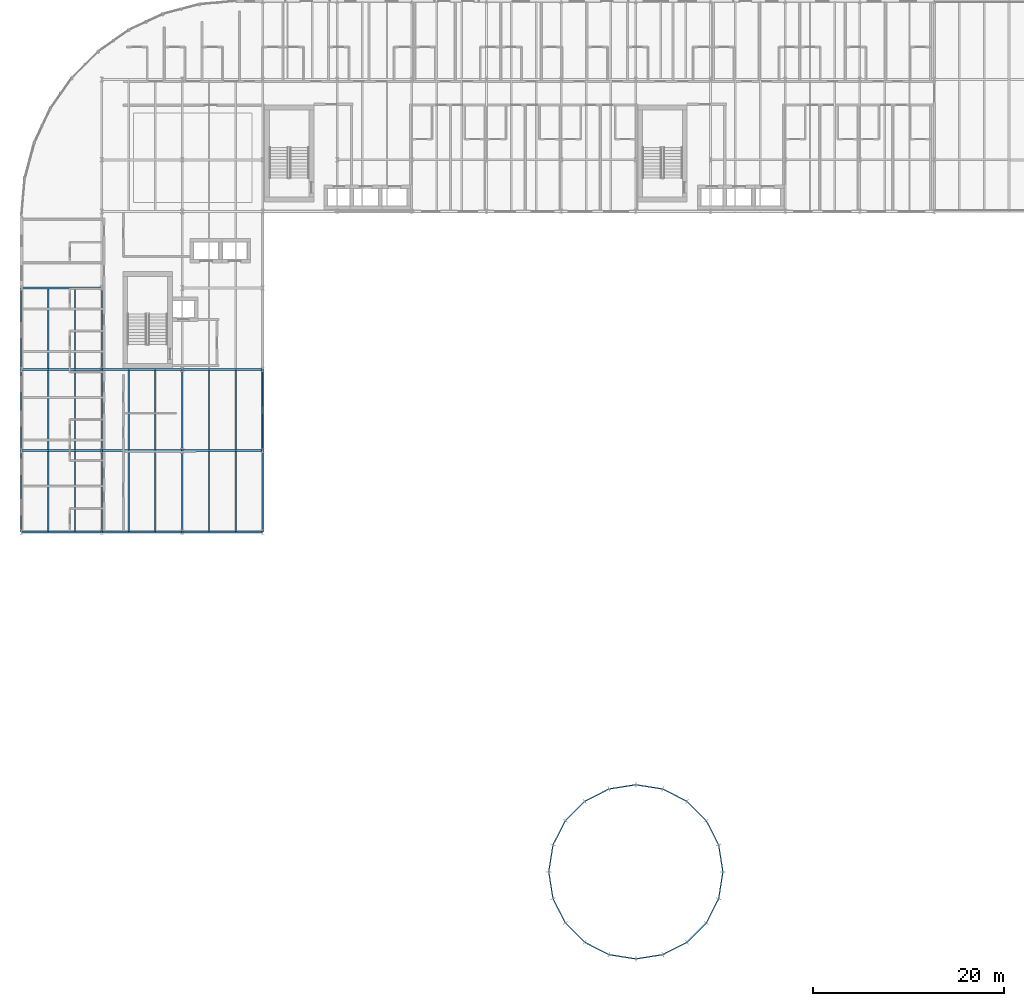
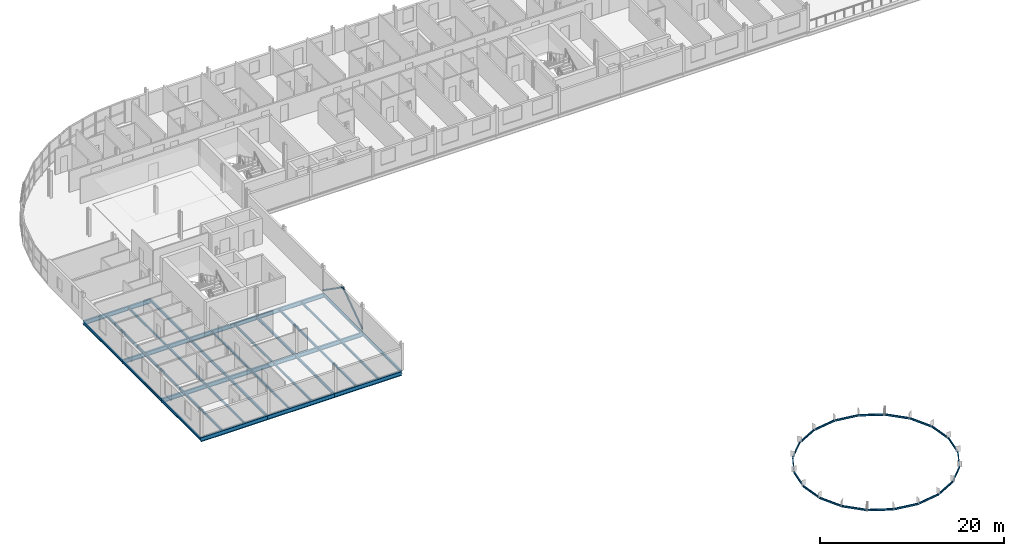
# One storey, part 4 of 30: 34 beams, 22 members.
"""IFC4 building model written with IfcOpenShell, lengths in metres."""

import ifcopenshell
import ifcopenshell.guid

model = None  # the IFC model being written
_history = None  # IfcOwnerHistory: only IFC2X3 demands one
_inside = {}  # id of a spatial element -> (the spatial element, [elements in it])
_under = {}  # id of a project, library or spatial element -> (it, [spatial elements below it])
_declared = {}  # id of a project -> (the project, [libraries it declares])
_typed = {}  # id of a type object -> (the type object, [elements of that type])
_made_of = {}  # id of a material, layer set ... -> (it, [elements and type objects made of it])


def new_model(schema):
    """Start an empty IFC model of exactly this schema.

    Asked for "IFC4X3", IfcOpenShell would pick the latest addendum, in which some entities
    have other attributes; the version numbers below select the first issue.
    IFC2X3 requires an IfcOwnerHistory on every rooted entity: one is made here for all.
    """
    global model, _history
    if schema == "IFC4X3":
        model = ifcopenshell.file(schema_version=(4, 3, 0, 0))
    else:
        model = ifcopenshell.file(schema=schema)
    _inside.clear()
    _under.clear()
    _declared.clear()
    _typed.clear()
    _made_of.clear()
    _history = None
    if model.schema == "IFC2X3":
        org = make("IfcOrganization", Name="unknown")
        user = make(
            "IfcPersonAndOrganization",
            ThePerson=make("IfcPerson", FamilyName="unknown"),
            TheOrganization=org,
        )
        app = make(
            "IfcApplication",
            ApplicationDeveloper=org,
            Version="unknown",
            ApplicationFullName="unknown",
            ApplicationIdentifier="unknown",
        )
        _history = make(
            "IfcOwnerHistory",
            OwningUser=user,
            OwningApplication=app,
            ChangeAction="ADDED",
            CreationDate=0,
        )
    return model


def make(cls, **values):
    """One entity of the class cls with the attributes given. An attribute that is None is left unset."""
    return model.create_entity(
        cls, **{name: value for name, value in values.items() if value is not None}
    )


def rooted(cls, **values):
    """An entity with a GlobalId (a new one), such as an element, a storey or a relation."""
    return make(cls, GlobalId=ifcopenshell.guid.new(), OwnerHistory=_history, **values)


def si_unit(unit_type, name, prefix=None):
    """IfcSIUnit, for example si_unit("LENGTHUNIT", "METRE", prefix="MILLI")."""
    return make("IfcSIUnit", UnitType=unit_type, Prefix=prefix, Name=name)


def assignment(units):
    """IfcUnitAssignment: the units of a project."""
    return None if units is None else make("IfcUnitAssignment", Units=units)


def point(xyz):
    """IfcCartesianPoint."""
    return None if xyz is None else make("IfcCartesianPoint", Coordinates=xyz)


def direction(xyz):
    """IfcDirection."""
    return None if xyz is None else make("IfcDirection", DirectionRatios=xyz)


def frame(location, z_axis=None, x_axis=None):
    """IfcAxis2Placement3D, a coordinate frame: its origin and axes. An axis left out is left unset."""
    return make(
        "IfcAxis2Placement3D",
        Location=point(location),
        Axis=direction(z_axis),
        RefDirection=direction(x_axis),
    )


def frame_2d(location, x_axis=None):
    """IfcAxis2Placement2D, a coordinate frame in the plane: its origin and x axis."""
    return make(
        "IfcAxis2Placement2D", Location=point(location), RefDirection=direction(x_axis)
    )


def origin():
    """The frame at (0, 0, 0) with its axes left unset."""
    return frame((0.0, 0.0, 0.0))


def origin_2d():
    """The frame at (0, 0) in the plane with its x axis left unset."""
    return frame_2d((0.0, 0.0))


def place(relative_to, where):
    """IfcLocalPlacement: puts the frame where relative to a parent placement (None: the world)."""
    return make(
        "IfcLocalPlacement", PlacementRelTo=relative_to, RelativePlacement=where
    )


def context(
    kind, dimensions, precision=None, world=None, true_north=None, identifier=None
):
    """IfcGeometricRepresentationContext, for example the 3D "Model" context."""
    return make(
        "IfcGeometricRepresentationContext",
        ContextIdentifier=identifier,
        ContextType=kind,
        CoordinateSpaceDimension=dimensions,
        Precision=precision,
        WorldCoordinateSystem=world,
        TrueNorth=true_north,
    )


def subcontext(parent, identifier, kind, view, scale=None):
    """IfcGeometricRepresentationSubContext, for example "Body" below "Model"."""
    return make(
        "IfcGeometricRepresentationSubContext",
        ContextIdentifier=identifier,
        ContextType=kind,
        ParentContext=parent,
        TargetScale=scale,
        TargetView=view,
    )


def project(units=None, contexts=None):
    """IfcProject with its units and contexts."""
    return rooted(
        "IfcProject",
        Name="project",
        RepresentationContexts=contexts,
        UnitsInContext=assignment(units),
    )


def spatial(cls, under=None, at=None, **own):
    """A site, building, storey or space (cls), placed at a placement, below another one or the project."""
    s = rooted(cls, ObjectPlacement=at, **own)
    if under is not None:
        _under.setdefault(under.id(), (under, []))[1].append(s)
    return s


def profile(cls, at=None, kind="AREA", **sizes):
    """A parametric profile (cls). Its sizes go by their IFC names, for example OverallWidth=200.0."""
    return make(cls, ProfileType=kind, Position=at, **sizes)


def hollow_circle(**sizes):
    """IfcCircleHollowProfileDef."""
    return profile("IfcCircleHollowProfileDef", **sizes)


def i_section(**sizes):
    """IfcIShapeProfileDef."""
    return profile("IfcIShapeProfileDef", **sizes)


def extrude(swept, where, along, depth):
    """IfcExtrudedAreaSolid: the profile swept, set in the frame where, extruded along a direction by depth."""
    return make(
        "IfcExtrudedAreaSolid",
        SweptArea=swept,
        Position=where,
        ExtrudedDirection=direction(along),
        Depth=depth,
    )


def shape(context_of_items, identifier, shape_type, items):
    """IfcShapeRepresentation: the items that make up one representation, for example the "Body"."""
    return make(
        "IfcShapeRepresentation",
        ContextOfItems=context_of_items,
        RepresentationIdentifier=identifier,
        RepresentationType=shape_type,
        Items=items,
    )


def material(Name=None, Category=None):
    """IfcMaterial."""
    return make("IfcMaterial", Name=Name, Category=Category)


def material_profile(
    of_material, cross_section, Name=None, Category=None, Priority=None
):
    """IfcMaterialProfile: a cross section and its material."""
    return make(
        "IfcMaterialProfile",
        Name=Name,
        Material=of_material,
        Profile=cross_section,
        Priority=Priority,
        Category=Category,
    )


def profile_set(profiles, Name=None, composite=None):
    """IfcMaterialProfileSet."""
    return make(
        "IfcMaterialProfileSet",
        Name=Name,
        MaterialProfiles=profiles,
        CompositeProfile=composite,
    )


def made_of(thing, what):
    """Note that an element or type object is made of a material, layer set ...; save() writes the relation."""
    if what is not None:
        _made_of.setdefault(what.id(), (what, []))[1].append(thing)
    return thing


def type_object(cls, material=None, **own):
    """A type object (cls), such as IfcWallType, which elements share."""
    return made_of(rooted(cls, **own), material)


def element(
    cls,
    number,
    at=None,
    inside=None,
    cuts=None,
    type_object=None,
    material=None,
    context=None,
    identifier="Body",
    shape_type=None,
    held_by="IfcProductDefinitionShape",
    body=None,
    shapes=None,
    **own,
):
    """One element of the class cls, such as IfcWall. Its Tag is "e" and its number.

    at: its placement. inside: the storey or other place that contains it. cuts: it is an
    opening in that element (IfcRelVoidsElement). A single representation is given by context,
    identifier, shape_type and body (its items); several are given by shapes. held_by: the class
    of the entity that holds the representations. save() writes the other relations.
    """
    e = rooted(cls, Tag="e%d" % number, ObjectPlacement=at, **own)
    if body is not None:
        shapes = [shape(context, identifier, shape_type, body)]
    if shapes is not None:
        e.Representation = make(held_by, Representations=shapes)
    if inside is not None:
        _inside.setdefault(inside.id(), (inside, []))[1].append(e)
    if cuts is not None:
        rooted(
            "IfcRelVoidsElement", RelatingBuildingElement=cuts, RelatedOpeningElement=e
        )
    if type_object is not None:
        _typed.setdefault(type_object.id(), (type_object, []))[1].append(e)
    return made_of(e, material)


def aggregate(whole, parts):
    """IfcRelAggregates: a whole, such as a stair, and the parts it consists of."""
    return rooted("IfcRelAggregates", RelatingObject=whole, RelatedObjects=parts)


def save(model, path):
    """Write the relations noted so far, then the file.

    IfcRelAggregates (storeys below a building ...), IfcRelContainedInSpatialStructure (elements
    in a storey), IfcRelDefinesByType, IfcRelAssociatesMaterial and IfcRelDeclares: one each for
    every whole, place, type object, material and project.
    """
    for whole, parts in _under.values():
        aggregate(whole, parts)
    for where, things in _inside.values():
        rooted(
            "IfcRelContainedInSpatialStructure",
            RelatedElements=things,
            RelatingStructure=where,
        )
    for kind, things in _typed.values():
        rooted("IfcRelDefinesByType", RelatedObjects=things, RelatingType=kind)
    for what, things in _made_of.values():
        rooted("IfcRelAssociatesMaterial", RelatedObjects=things, RelatingMaterial=what)
    for by, libraries in _declared.values():
        rooted("IfcRelDeclares", RelatingContext=by, RelatedDefinitions=libraries)
    model.write(path)


model = new_model("IFC4")

# Units and contexts
model_context = context("Model", 3, precision=1e-05, world=origin(), true_north=direction((0.0, 1.0)))
body_context = subcontext(model_context, "Body", "Model", "MODEL_VIEW")
ifc_project = project(units=[si_unit("LENGTHUNIT", "METRE"), si_unit("AREAUNIT", "SQUARE_METRE"), si_unit("VOLUMEUNIT", "CUBIC_METRE"), si_unit("PLANEANGLEUNIT", "RADIAN"), si_unit("MASSUNIT", "GRAM", prefix="KILO")], contexts=[model_context])

# Site, building, storey
site_placement = place(None, origin())
site = spatial("IfcSite", under=ifc_project, at=site_placement, CompositionType="ELEMENT")
building_placement = place(site_placement, origin())
building = spatial("IfcBuilding", under=site, at=building_placement, Name="Sefraquen Railside Congress Hotel", CompositionType="ELEMENT")
storey_placement = place(building_placement, frame((0.0, 0.0, 35.39990234375)))
storey = spatial("IfcBuildingStorey", under=building, at=storey_placement, Name="L08", CompositionType="ELEMENT", Elevation=35.39990234375)

# Beams
ifc_material_1 = material(Name="Steel S355JR", Category="steel")
ifc_material_profile_1 = material_profile(ifc_material_1, i_section(OverallWidth=0.169921875, OverallDepth=0.360107421875, WebThickness=0.008056640625, FlangeThickness=0.0126953125, FilletRadius=0.01806640625, at=origin_2d()), Name="IPE 360")
ifc_profile_set_1 = profile_set([ifc_material_profile_1], Name="Steel S355JR")
beam_type_1 = type_object("IfcBeamType", Name="TB-BM-360", PredefinedType="BEAM", material=ifc_profile_set_1)
for number, where, z_axis, x_axis, name in (
    (1, (0.0, 62.5, -0.419921875), (0.0, 1.0, 0.0), (-1.0, 0.0, 0.0), "Floor beam BM-L08-1891"),
    (2, (0.0, 71.0, -0.419921875), (0.0, 1.0, 0.0), (-1.0, 0.0, 0.0), "Floor beam BM-L08-1892"),
    (3, (0.0, 79.5, -0.419921875), (0.0, 1.0, 0.0), (-1.0, 0.0, 0.0), "Floor beam BM-L08-1893"),
    (4, (8.39990234375, 62.5, -0.419921875), (0.0, 1.0, 0.0), (-1.0, 0.0, 0.0), "Floor beam BM-L08-1894"),
    (5, (8.39990234375, 71.0, -0.419921875), (0.0, 1.0, 0.0), (-1.0, 0.0, 0.0), "Floor beam BM-L08-1895"),
    (6, (8.39990234375, 79.5, -0.419921875), (0.0, 1.0, 0.0), (-1.0, 0.0, 0.0), "Floor beam BM-L08-1896"),
    (7, (16.800048828125, 62.5, -0.419921875), (0.0, 1.0, 0.0), (-1.0, 0.0, 0.0), "Floor beam BM-L08-1900"),
    (8, (16.800048828125, 71.0, -0.419921875), (0.0, 1.0, 0.0), (-1.0, 0.0, 0.0), "Floor beam BM-L08-1901"),
    (9, (25.199951171875, 62.5, -0.419921875), (0.0, 1.0, 0.0), (-1.0, 0.0, 0.0), "Floor beam BM-L08-1906"),
    (10, (25.199951171875, 71.0, -0.419921875), (0.0, 1.0, 0.0), (-1.0, 0.0, 0.0), "Floor beam BM-L08-1907"),
):
    element("IfcBeam", number, at=place(storey_placement, frame(where, z_axis=z_axis, x_axis=x_axis)), inside=storey, type_object=beam_type_1, Name=name, PredefinedType="BEAM", context=body_context, shape_type="SweptSolid", body=[
        extrude(i_section(OverallWidth=0.169921875, OverallDepth=0.360107421875, WebThickness=0.008056640625, FlangeThickness=0.0126953125, FilletRadius=0.01806640625, at=origin_2d()), origin(), (0.0, 0.0, 1.0), 8.5),
    ])
ifc_material_profile_2 = material_profile(ifc_material_1, i_section(OverallWidth=0.2099609375, OverallDepth=0.550048828125, WebThickness=0.010986328125, FlangeThickness=0.01708984375, FilletRadius=0.02392578125, at=origin_2d()), Name="IPE 550")
ifc_profile_set_2 = profile_set([ifc_material_profile_2], Name="Steel S355JR")
beam_type_2 = type_object("IfcBeamType", Name="TB-GIR-550", PredefinedType="T_BEAM", material=ifc_profile_set_2)
beam_1_placement = place(storey_placement, frame((0.0, 62.5, -0.514892578125), z_axis=(1.0, 0.0, 0.0), x_axis=(0.0, 1.0, 0.0)))
element("IfcBeam", 11, at=beam_1_placement, inside=storey, type_object=beam_type_2, Name="Primary girder BM-L08-1828", PredefinedType="T_BEAM", context=body_context, shape_type="SweptSolid", body=[
    extrude(i_section(OverallWidth=0.2099609375, OverallDepth=0.550048828125, WebThickness=0.010986328125, FlangeThickness=0.01708984375, FilletRadius=0.02392578125, at=origin_2d()), origin(), (0.0, 0.0, 1.0), 8.39990234375),
])
beam_2_placement = place(storey_placement, frame((8.39990234375, 62.5, -0.514892578125), z_axis=(1.0, 0.0, 0.0), x_axis=(0.0, 1.0, 0.0)))
element("IfcBeam", 12, at=beam_2_placement, inside=storey, type_object=beam_type_2, Name="Primary girder BM-L08-1829", PredefinedType="T_BEAM", context=body_context, shape_type="SweptSolid", body=[
    extrude(i_section(OverallWidth=0.2099609375, OverallDepth=0.550048828125, WebThickness=0.010986328125, FlangeThickness=0.01708984375, FilletRadius=0.02392578125, at=origin_2d()), origin(), (0.0, 0.0, 1.0), 8.400146484375),
])
for number, where, z_axis, x_axis, name in (
    (13, (16.800048828125, 62.5, -0.514892578125), (1.0, 0.0, 0.0), (0.0, 1.0, 0.0), "Primary girder BM-L08-1830"),
    (14, (0.0, 71.0, -0.514892578125), (1.0, 0.0, 0.0), (0.0, 1.0, 0.0), "Primary girder BM-L08-1831"),
):
    element("IfcBeam", number, at=place(storey_placement, frame(where, z_axis=z_axis, x_axis=x_axis)), inside=storey, type_object=beam_type_2, Name=name, PredefinedType="T_BEAM", context=body_context, shape_type="SweptSolid", body=[
        extrude(i_section(OverallWidth=0.2099609375, OverallDepth=0.550048828125, WebThickness=0.010986328125, FlangeThickness=0.01708984375, FilletRadius=0.02392578125, at=origin_2d()), origin(), (0.0, 0.0, 1.0), 8.39990234375),
    ])
beam_3_placement = place(storey_placement, frame((8.39990234375, 71.0, -0.514892578125), z_axis=(1.0, 0.0, 0.0), x_axis=(0.0, 1.0, 0.0)))
element("IfcBeam", 15, at=beam_3_placement, inside=storey, type_object=beam_type_2, Name="Primary girder BM-L08-1832", PredefinedType="T_BEAM", context=body_context, shape_type="SweptSolid", body=[
    extrude(i_section(OverallWidth=0.2099609375, OverallDepth=0.550048828125, WebThickness=0.010986328125, FlangeThickness=0.01708984375, FilletRadius=0.02392578125, at=origin_2d()), origin(), (0.0, 0.0, 1.0), 8.400146484375),
])
for number, where, z_axis, x_axis, name in (
    (16, (16.800048828125, 71.0, -0.514892578125), (1.0, 0.0, 0.0), (0.0, 1.0, 0.0), "Primary girder BM-L08-1833"),
    (17, (0.0, 79.5, -0.514892578125), (1.0, 0.0, 0.0), (0.0, 1.0, 0.0), "Primary girder BM-L08-1834"),
):
    element("IfcBeam", number, at=place(storey_placement, frame(where, z_axis=z_axis, x_axis=x_axis)), inside=storey, type_object=beam_type_2, Name=name, PredefinedType="T_BEAM", context=body_context, shape_type="SweptSolid", body=[
        extrude(i_section(OverallWidth=0.2099609375, OverallDepth=0.550048828125, WebThickness=0.010986328125, FlangeThickness=0.01708984375, FilletRadius=0.02392578125, at=origin_2d()), origin(), (0.0, 0.0, 1.0), 8.39990234375),
    ])
beam_4_placement = place(storey_placement, frame((8.39990234375, 79.5, -0.514892578125), z_axis=(1.0, 0.0, 0.0), x_axis=(0.0, 1.0, 0.0)))
element("IfcBeam", 18, at=beam_4_placement, inside=storey, type_object=beam_type_2, Name="Primary girder BM-L08-1835", PredefinedType="T_BEAM", context=body_context, shape_type="SweptSolid", body=[
    extrude(i_section(OverallWidth=0.2099609375, OverallDepth=0.550048828125, WebThickness=0.010986328125, FlangeThickness=0.01708984375, FilletRadius=0.02392578125, at=origin_2d()), origin(), (0.0, 0.0, 1.0), 8.400146484375),
])
for number, where, z_axis, x_axis, name in (
    (19, (16.800048828125, 79.5, -0.514892578125), (1.0, 0.0, 0.0), (0.0, 1.0, 0.0), "Primary girder BM-L08-1836"),
    (20, (0.0, 88.0, -0.514892578125), (1.0, 0.0, 0.0), (0.0, 1.0, 0.0), "Primary girder BM-L08-1837"),
):
    element("IfcBeam", number, at=place(storey_placement, frame(where, z_axis=z_axis, x_axis=x_axis)), inside=storey, type_object=beam_type_2, Name=name, PredefinedType="T_BEAM", context=body_context, shape_type="SweptSolid", body=[
        extrude(i_section(OverallWidth=0.2099609375, OverallDepth=0.550048828125, WebThickness=0.010986328125, FlangeThickness=0.01708984375, FilletRadius=0.02392578125, at=origin_2d()), origin(), (0.0, 0.0, 1.0), 8.39990234375),
    ])
ifc_material_profile_3 = material_profile(ifc_material_1, i_section(OverallWidth=0.14990234375, OverallDepth=0.300048828125, WebThickness=0.007080078125, FlangeThickness=0.0107421875, FilletRadius=0.014892578125, at=origin_2d()), Name="IPE 300")
ifc_profile_set_3 = profile_set([ifc_material_profile_3], Name="Steel S355JR")
beam_type_3 = type_object("IfcBeamType", Name="TB-JST-300", PredefinedType="JOIST", material=ifc_profile_set_3)
for number, where, z_axis, x_axis, name in (
    (21, (2.800048828125, 62.5849609375, -0.389892578125), (0.0, 1.0, 0.0), (-1.0, 0.0, 0.0), "Composite floor joist BM-L08-J1234"),
    (22, (5.60009765625, 62.5849609375, -0.389892578125), (0.0, 1.0, 0.0), (-1.0, 0.0, 0.0), "Composite floor joist BM-L08-J1235"),
    (23, (2.800048828125, 71.0849609375, -0.389892578125), (0.0, 1.0, 0.0), (-1.0, 0.0, 0.0), "Composite floor joist BM-L08-J1236"),
    (24, (5.60009765625, 71.0849609375, -0.389892578125), (0.0, 1.0, 0.0), (-1.0, 0.0, 0.0), "Composite floor joist BM-L08-J1237"),
    (25, (2.800048828125, 79.5849609375, -0.389892578125), (0.0, 1.0, 0.0), (-1.0, 0.0, 0.0), "Composite floor joist BM-L08-J1238"),
    (26, (5.60009765625, 79.5849609375, -0.389892578125), (0.0, 1.0, 0.0), (-1.0, 0.0, 0.0), "Composite floor joist BM-L08-J1239"),
    (27, (11.199951171875, 62.5849609375, -0.389892578125), (0.0, 1.0, 0.0), (-1.0, 0.0, 0.0), "Composite floor joist BM-L08-J1240"),
    (28, (14.0, 62.5849609375, -0.389892578125), (0.0, 1.0, 0.0), (-1.0, 0.0, 0.0), "Composite floor joist BM-L08-J1241"),
    (29, (11.199951171875, 71.0849609375, -0.389892578125), (0.0, 1.0, 0.0), (-1.0, 0.0, 0.0), "Composite floor joist BM-L08-J1242"),
    (30, (14.0, 71.0849609375, -0.389892578125), (0.0, 1.0, 0.0), (-1.0, 0.0, 0.0), "Composite floor joist BM-L08-J1243"),
    (31, (19.60009765625, 62.5849609375, -0.389892578125), (0.0, 1.0, 0.0), (-1.0, 0.0, 0.0), "Composite floor joist BM-L08-J1248"),
    (32, (22.39990234375, 62.5849609375, -0.389892578125), (0.0, 1.0, 0.0), (-1.0, 0.0, 0.0), "Composite floor joist BM-L08-J1249"),
    (33, (19.60009765625, 71.0849609375, -0.389892578125), (0.0, 1.0, 0.0), (-1.0, 0.0, 0.0), "Composite floor joist BM-L08-J1250"),
    (34, (22.39990234375, 71.0849609375, -0.389892578125), (0.0, 1.0, 0.0), (-1.0, 0.0, 0.0), "Composite floor joist BM-L08-J1251"),
):
    element("IfcBeam", number, at=place(storey_placement, frame(where, z_axis=z_axis, x_axis=x_axis)), inside=storey, type_object=beam_type_3, Name=name, PredefinedType="JOIST", context=body_context, shape_type="SweptSolid", body=[
        extrude(i_section(OverallWidth=0.14990234375, OverallDepth=0.300048828125, WebThickness=0.007080078125, FlangeThickness=0.0107421875, FilletRadius=0.014892578125, at=origin_2d()), origin(), (0.0, 0.0, 1.0), 8.330078125),
    ])

# Members
ifc_material_2 = material(Name="Steel S355J2", Category="steel")
ifc_material_profile_4 = material_profile(ifc_material_2, hollow_circle(Radius=0.109619140625, WallThickness=0.010009765625, at=origin_2d()), Name="CHS 219.1x10")
ifc_profile_set_4 = profile_set([ifc_material_profile_4], Name="Steel S355J2")
member_type_1 = type_object("IfcMemberType", Name="TM-BR-219", PredefinedType="BRACE", material=ifc_profile_set_4)
for number, where, z_axis, x_axis, name in (
    (35, (25.199951171875, 71.0, 0.150146484375), (0.0, 0.818780891448, 0.574106132871), (-1.0, 0.0, 0.0), "Chevron braced-frame diagonal BF2-L L08"),
    (36, (25.199951171875, 79.5, 0.150146484375), (0.0, -0.818780891448, 0.574106132871), (1.0, 0.0, 0.0), "Chevron braced-frame diagonal BF2-R L08"),
):
    element("IfcMember", number, at=place(storey_placement, frame(where, z_axis=z_axis, x_axis=x_axis)), inside=storey, type_object=member_type_1, Name=name, PredefinedType="BRACE", context=body_context, shape_type="SweptSolid", body=[
        extrude(hollow_circle(Radius=0.109619140625, WallThickness=0.010009765625, at=origin_2d()), origin(), (0.0, 0.0, 1.0), 5.190673828125),
    ])
ifc_material_profile_5 = material_profile(ifc_material_1, i_section(OverallWidth=0.1201171875, OverallDepth=0.239990234375, WebThickness=0.006103515625, FlangeThickness=0.009765625, FilletRadius=0.014892578125, at=origin_2d()), Name="IPE 240")
ifc_profile_set_5 = profile_set([ifc_material_profile_5], Name="Steel S355JR")
member_type_2 = type_object("IfcMemberType", Name="TM-PUR-240", PredefinedType="PURLIN", material=ifc_profile_set_5)
for number, where, z_axis, x_axis, name in (
    (37, (73.300048828125, 27.0, -4.47998046875), (-0.156495365065, 0.987678693054, 0.0), (-0.987678693054, -0.156495365065, 0.0), "Congress Dome upper purlin ring 01"),
    (38, (72.8544921875, 29.81201171875, -4.47998046875), (-0.453957894775, 0.891023136496, 0.0), (-0.891023136496, -0.453957894775, 0.0), "Congress Dome upper purlin ring 02"),
    (39, (71.56201171875, 32.348876953125, -4.47998046875), (-0.707106781187, 0.707106781187, 0.0), (-0.707106781187, -0.707106781187, 0.0), "Congress Dome upper purlin ring 03"),
):
    element("IfcMember", number, at=place(storey_placement, frame(where, z_axis=z_axis, x_axis=x_axis)), inside=storey, type_object=member_type_2, Name=name, PredefinedType="PURLIN", context=body_context, shape_type="SweptSolid", body=[
        extrude(i_section(OverallWidth=0.1201171875, OverallDepth=0.239990234375, WebThickness=0.006103515625, FlangeThickness=0.009765625, FilletRadius=0.014892578125, at=origin_2d()), origin(), (0.0, 0.0, 1.0), 2.84716796875),
    ])
member_1_placement = place(storey_placement, frame((69.548828125, 34.362060546875, -4.47998046875), z_axis=(-0.891005463403, 0.453992581642, 0.0), x_axis=(-0.453992581642, -0.891005463403, 0.0)))
element("IfcMember", 40, at=member_1_placement, inside=storey, type_object=member_type_2, Name="Congress Dome upper purlin ring 04", PredefinedType="PURLIN", context=body_context, shape_type="SweptSolid", body=[
    extrude(i_section(OverallWidth=0.1201171875, OverallDepth=0.239990234375, WebThickness=0.006103515625, FlangeThickness=0.009765625, FilletRadius=0.014892578125, at=origin_2d()), origin(), (0.0, 0.0, 1.0), 2.846923828125),
])
member_2_placement = place(storey_placement, frame((67.01220703125, 35.654541015625, -4.47998046875), z_axis=(-0.987680792895, 0.156482111905, 0.0), x_axis=(-0.156482111905, -0.987680792895, 0.0)))
element("IfcMember", 41, at=member_2_placement, inside=storey, type_object=member_type_2, Name="Congress Dome upper purlin ring 05", PredefinedType="PURLIN", context=body_context, shape_type="SweptSolid", body=[
    extrude(i_section(OverallWidth=0.1201171875, OverallDepth=0.239990234375, WebThickness=0.006103515625, FlangeThickness=0.009765625, FilletRadius=0.014892578125, at=origin_2d()), origin(), (0.0, 0.0, 1.0), 2.847412109375),
])
member_3_placement = place(storey_placement, frame((64.199951171875, 36.10009765625, -4.47998046875), z_axis=(-0.987678693054, -0.156495365065, 0.0), x_axis=(0.156495365065, -0.987678693054, 0.0)))
element("IfcMember", 42, at=member_3_placement, inside=storey, type_object=member_type_2, Name="Congress Dome upper purlin ring 06", PredefinedType="PURLIN", context=body_context, shape_type="SweptSolid", body=[
    extrude(i_section(OverallWidth=0.1201171875, OverallDepth=0.239990234375, WebThickness=0.006103515625, FlangeThickness=0.009765625, FilletRadius=0.014892578125, at=origin_2d()), origin(), (0.0, 0.0, 1.0), 2.84716796875),
])
member_4_placement = place(storey_placement, frame((61.387939453125, 35.654541015625, -4.47998046875), z_axis=(-0.891005463403, -0.453992581642, 0.0), x_axis=(0.453992581642, -0.891005463403, 0.0)))
element("IfcMember", 43, at=member_4_placement, inside=storey, type_object=member_type_2, Name="Congress Dome upper purlin ring 07", PredefinedType="PURLIN", context=body_context, shape_type="SweptSolid", body=[
    extrude(i_section(OverallWidth=0.1201171875, OverallDepth=0.239990234375, WebThickness=0.006103515625, FlangeThickness=0.009765625, FilletRadius=0.014892578125, at=origin_2d()), origin(), (0.0, 0.0, 1.0), 2.846923828125),
])
for number, where, z_axis, x_axis, name in (
    (44, (58.851318359375, 34.362060546875, -4.47998046875), (-0.707149653032, -0.707063906742, 0.0), (0.707063906742, -0.707149653032, 0.0), "Congress Dome upper purlin ring 08"),
    (45, (56.837890625, 32.348876953125, -4.47998046875), (-0.453957894775, -0.891023136496, 0.0), (0.891023136496, -0.453957894775, 0.0), "Congress Dome upper purlin ring 09"),
    (46, (55.54541015625, 29.81201171875, -4.47998046875), (-0.156411712605, -0.987691943958, 0.0), (0.987691943958, -0.156411712605, 0.0), "Congress Dome upper purlin ring 10"),
    (47, (55.10009765625, 27.0, -4.47998046875), (0.156411712605, -0.987691943958, 0.0), (0.987691943958, 0.156411712605, 0.0), "Congress Dome upper purlin ring 11"),
    (48, (55.54541015625, 24.18798828125, -4.47998046875), (0.453957894775, -0.891023136496, 0.0), (0.891023136496, 0.453957894775, 0.0), "Congress Dome upper purlin ring 12"),
    (49, (56.837890625, 21.651123046875, -4.47998046875), (0.707149653032, -0.707063906742, 0.0), (0.707063906742, 0.707149653032, 0.0), "Congress Dome upper purlin ring 13"),
):
    element("IfcMember", number, at=place(storey_placement, frame(where, z_axis=z_axis, x_axis=x_axis)), inside=storey, type_object=member_type_2, Name=name, PredefinedType="PURLIN", context=body_context, shape_type="SweptSolid", body=[
        extrude(i_section(OverallWidth=0.1201171875, OverallDepth=0.239990234375, WebThickness=0.006103515625, FlangeThickness=0.009765625, FilletRadius=0.014892578125, at=origin_2d()), origin(), (0.0, 0.0, 1.0), 2.84716796875),
    ])
member_5_placement = place(storey_placement, frame((58.851318359375, 19.637939453125, -4.47998046875), z_axis=(0.891005463403, -0.453992581642, 0.0), x_axis=(0.453992581642, 0.891005463403, 0.0)))
element("IfcMember", 50, at=member_5_placement, inside=storey, type_object=member_type_2, Name="Congress Dome upper purlin ring 14", PredefinedType="PURLIN", context=body_context, shape_type="SweptSolid", body=[
    extrude(i_section(OverallWidth=0.1201171875, OverallDepth=0.239990234375, WebThickness=0.006103515625, FlangeThickness=0.009765625, FilletRadius=0.014892578125, at=origin_2d()), origin(), (0.0, 0.0, 1.0), 2.846923828125),
])
member_6_placement = place(storey_placement, frame((61.387939453125, 18.345458984375, -4.47998046875), z_axis=(0.987678693054, -0.156495365065, 0.0), x_axis=(0.156495365065, 0.987678693054, 0.0)))
element("IfcMember", 51, at=member_6_placement, inside=storey, type_object=member_type_2, Name="Congress Dome upper purlin ring 15", PredefinedType="PURLIN", context=body_context, shape_type="SweptSolid", body=[
    extrude(i_section(OverallWidth=0.1201171875, OverallDepth=0.239990234375, WebThickness=0.006103515625, FlangeThickness=0.009765625, FilletRadius=0.014892578125, at=origin_2d()), origin(), (0.0, 0.0, 1.0), 2.84716796875),
])
member_7_placement = place(storey_placement, frame((64.199951171875, 17.89990234375, -4.47998046875), z_axis=(0.987680792895, 0.156482111905, 0.0), x_axis=(-0.156482111905, 0.987680792895, 0.0)))
element("IfcMember", 52, at=member_7_placement, inside=storey, type_object=member_type_2, Name="Congress Dome upper purlin ring 16", PredefinedType="PURLIN", context=body_context, shape_type="SweptSolid", body=[
    extrude(i_section(OverallWidth=0.1201171875, OverallDepth=0.239990234375, WebThickness=0.006103515625, FlangeThickness=0.009765625, FilletRadius=0.014892578125, at=origin_2d()), origin(), (0.0, 0.0, 1.0), 2.847412109375),
])
member_8_placement = place(storey_placement, frame((67.01220703125, 18.345458984375, -4.47998046875), z_axis=(0.891005463403, 0.453992581642, 0.0), x_axis=(-0.453992581642, 0.891005463403, 0.0)))
element("IfcMember", 53, at=member_8_placement, inside=storey, type_object=member_type_2, Name="Congress Dome upper purlin ring 17", PredefinedType="PURLIN", context=body_context, shape_type="SweptSolid", body=[
    extrude(i_section(OverallWidth=0.1201171875, OverallDepth=0.239990234375, WebThickness=0.006103515625, FlangeThickness=0.009765625, FilletRadius=0.014892578125, at=origin_2d()), origin(), (0.0, 0.0, 1.0), 2.846923828125),
])
for number, where, z_axis, x_axis, name in (
    (54, (69.548828125, 19.637939453125, -4.47998046875), (0.707106781187, 0.707106781187, 0.0), (-0.707106781187, 0.707106781187, 0.0), "Congress Dome upper purlin ring 18"),
    (55, (71.56201171875, 21.651123046875, -4.47998046875), (0.453957894775, 0.891023136496, 0.0), (-0.891023136496, 0.453957894775, 0.0), "Congress Dome upper purlin ring 19"),
    (56, (72.8544921875, 24.18798828125, -4.47998046875), (0.156495365065, 0.987678693054, 0.0), (-0.987678693054, 0.156495365065, 0.0), "Congress Dome upper purlin ring 20"),
):
    element("IfcMember", number, at=place(storey_placement, frame(where, z_axis=z_axis, x_axis=x_axis)), inside=storey, type_object=member_type_2, Name=name, PredefinedType="PURLIN", context=body_context, shape_type="SweptSolid", body=[
        extrude(i_section(OverallWidth=0.1201171875, OverallDepth=0.239990234375, WebThickness=0.006103515625, FlangeThickness=0.009765625, FilletRadius=0.014892578125, at=origin_2d()), origin(), (0.0, 0.0, 1.0), 2.84716796875),
    ])

save(model, "model.ifc")
